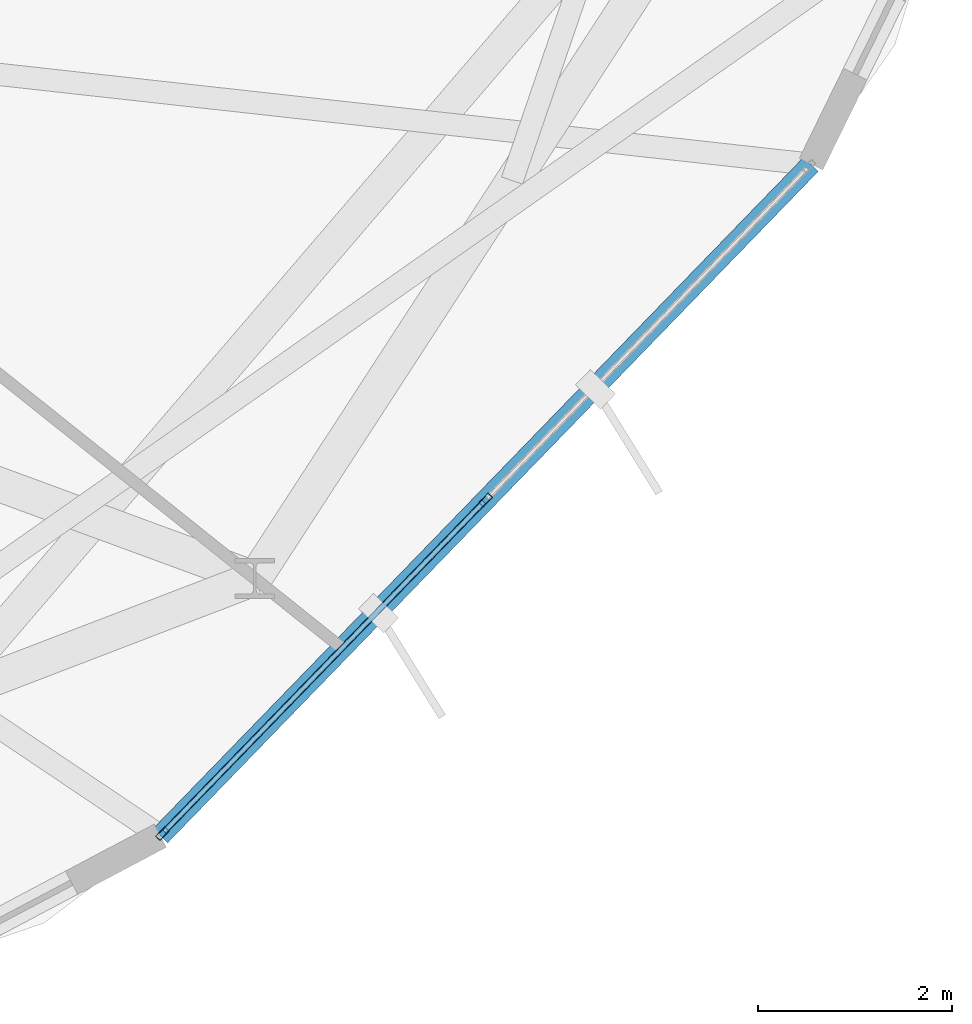
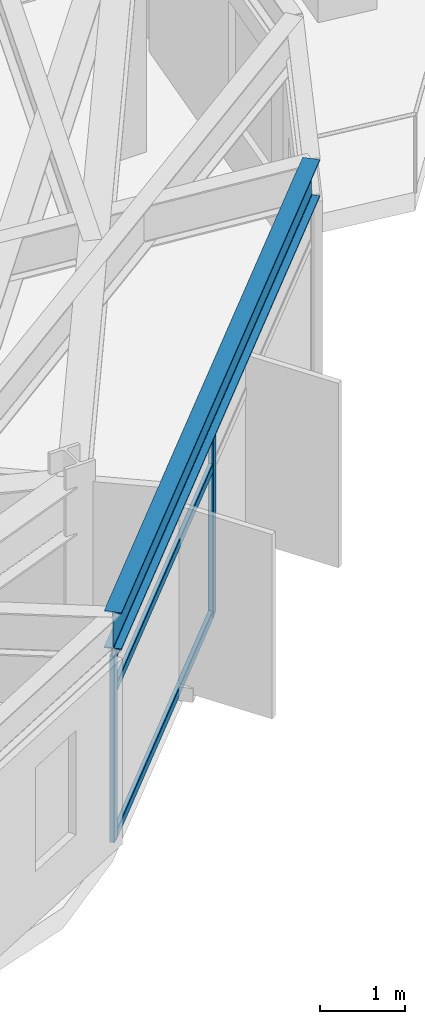
# One storey, part 11 of 28: 5 members, 1 beam, 1 element without a shape of its own.
"""IFC4 building model written with IfcOpenShell, lengths in metres."""

from ifc_helpers import new_model, si_unit, direction, frame, origin, origin_2d, place, context, subcontext, project, spatial, hollow_rectangle, i_section, extrude, material, layer, layer_set, material_profile, profile_set, type_object, element, aggregate, save


model = new_model("IFC4")

# Units and contexts
model_context = context("Model", 3, precision=1e-05, world=origin(), true_north=direction((0.0, 1.0)))
body_context = subcontext(model_context, "Body", "Model", "MODEL_VIEW")
ifc_project = project(units=[si_unit("LENGTHUNIT", "METRE"), si_unit("AREAUNIT", "SQUARE_METRE"), si_unit("VOLUMEUNIT", "CUBIC_METRE"), si_unit("PLANEANGLEUNIT", "RADIAN"), si_unit("MASSUNIT", "GRAM", prefix="KILO")], contexts=[model_context])

# Site, building, storey
site_placement = place(None, origin())
site = spatial("IfcSite", under=ifc_project, at=site_placement, CompositionType="ELEMENT")
building_placement = place(site_placement, origin())
building = spatial("IfcBuilding", under=site, at=building_placement, Name="Soratama Intermodal Tower", CompositionType="ELEMENT")
storey_placement = place(building_placement, frame((0.0, 0.0, 201.39990234375)))
storey = spatial("IfcBuildingStorey", under=building, at=storey_placement, Name="L50", CompositionType="ELEMENT", Elevation=201.39990234375)

# Beam
ifc_material_1 = material(Name="Structural steel ASTM A992 Grade 50", Category="steel")
ifc_material_profile_1 = material_profile(ifc_material_1, i_section(OverallWidth=0.2099609375, OverallDepth=0.537109375, WebThickness=0.010986328125, FlangeThickness=0.017333984375, FilletRadius=0.012939453125, at=origin_2d()), Name="W21X68")
ifc_profile_set_1 = profile_set([ifc_material_profile_1], Name="Structural steel ASTM A992 Grade 50")
beam_type = type_object("IfcBeamType", Name="BM-SPN-W21X68", PredefinedType="SPANDREL", material=ifc_profile_set_1)
beam_placement = place(storey_placement, frame((55.73388671875, 7.89697265625, 3.031494140625), z_axis=(0.695844287037, 0.718192681805, 0.0), x_axis=(-0.718192681805, 0.695844287037, 0.0)))
element("IfcBeam", 1, at=beam_placement, inside=storey, type_object=beam_type, Name="BS-L50-F08", PredefinedType="SPANDREL", context=body_context, shape_type="SweptSolid", body=[
    extrude(i_section(OverallWidth=0.2099609375, OverallDepth=0.537109375, WebThickness=0.010986328125, FlangeThickness=0.017333984375, FilletRadius=0.012939453125, at=origin_2d()), origin(), (0.0, 0.0, 1.0), 9.624267578125),
])

# Curtain wall, members
ifc_material_2 = material(Name="Double-glazed aluminium curtain wall", Category="aluminium")
ifc_layer = layer(ifc_material_2, 0.159912109375)
ifc_layer_set = layer_set([ifc_layer], Name="Double-glazed aluminium curtain wall")
curtain_wall_type = type_object("IfcCurtainWallType", Name="CW-SYS-5", PredefinedType="NOTDEFINED", material=ifc_layer_set)
curtain_wall_placement = place(storey_placement, origin())
curtain_wall = element("IfcCurtainWall", 2, at=curtain_wall_placement, inside=storey, type_object=curtain_wall_type, Name="L50 Faceted Curtain Wall F08", PredefinedType="NOTDEFINED")
ifc_material_3 = material(Name="Anodised aluminium AA 6063-T6", Category="aluminium")
ifc_material_profile_2 = material_profile(ifc_material_3, hollow_rectangle(XDim=0.06494140625, YDim=0.139892578125, WallThickness=0.0048828125, InnerFilletRadius=0.0048828125, OuterFilletRadius=0.010009765625, at=origin_2d()), Name="CWM140X65X5")
ifc_profile_set_2 = profile_set([ifc_material_profile_2], Name="Anodised aluminium AA 6063-T6")
member_type_1 = type_object("IfcMemberType", Name="MT-CWM-5", PredefinedType="MULLION", material=ifc_profile_set_2)
member_1_placement = place(storey_placement, frame((55.75439453125, 7.9189453125, 0.0), z_axis=(0.0, 0.0, 1.0), x_axis=(-0.718126949297, 0.695912124261, 0.0)))
member_1 = element("IfcMember", 3, at=member_1_placement, type_object=member_type_1, Name="CW-5 mullion 1", PredefinedType="MULLION", context=body_context, shape_type="SweptSolid", body=[
    extrude(hollow_rectangle(XDim=0.06494140625, YDim=0.139892578125, WallThickness=0.0048828125, InnerFilletRadius=0.0048828125, OuterFilletRadius=0.010009765625, at=origin_2d()), origin(), (0.0, 0.0, 1.0), 2.67919921875),
])
member_2_placement = place(storey_placement, frame((59.08251953125, 11.353271484375, 0.0), z_axis=(0.0, 0.0, 1.0), x_axis=(-0.718126949297, 0.695912124261, 0.0)))
member_2 = element("IfcMember", 4, at=member_2_placement, type_object=member_type_1, Name="CW-5 mullion 2", PredefinedType="MULLION", context=body_context, shape_type="SweptSolid", body=[
    extrude(hollow_rectangle(XDim=0.06494140625, YDim=0.139892578125, WallThickness=0.0048828125, InnerFilletRadius=0.0048828125, OuterFilletRadius=0.010009765625, at=origin_2d()), origin(), (0.0, 0.0, 1.0), 2.67919921875),
])
ifc_material_4 = material(Name="Anodised aluminium AA 6063-T6", Category="aluminium")
ifc_material_profile_3 = material_profile(ifc_material_4, hollow_rectangle(XDim=0.06005859375, YDim=0.1298828125, WallThickness=0.0048828125, InnerFilletRadius=0.0048828125, OuterFilletRadius=0.010009765625, at=origin_2d()), Name="CWT130X60X5")
ifc_profile_set_3 = profile_set([ifc_material_profile_3], Name="Anodised aluminium AA 6063-T6")
member_type_2 = type_object("IfcMemberType", Name="TT-CWT-2", PredefinedType="USERDEFINED", material=ifc_profile_set_3)
member_3_placement = place(storey_placement, frame((55.775390625, 7.940673828125, 0.030029296875), z_axis=(0.695929398414, 0.718110209107, 0.0), x_axis=(-0.718110209107, 0.695929398414, 0.0)))
member_3 = element("IfcMember", 5, at=member_3_placement, type_object=member_type_2, Name="CW-5 transom 1.1", ObjectType="TRANSOM", PredefinedType="USERDEFINED", context=body_context, shape_type="SweptSolid", body=[
    extrude(hollow_rectangle(XDim=0.06005859375, YDim=0.1298828125, WallThickness=0.0048828125, InnerFilletRadius=0.0048828125, OuterFilletRadius=0.010009765625, at=origin_2d()), origin(), (0.0, 0.0, 1.0), 4.721923828125),
])
member_4_placement = place(storey_placement, frame((55.775390625, 7.940673828125, 2.150146484375), z_axis=(0.695929398414, 0.718110209107, 0.0), x_axis=(-0.718110209107, 0.695929398414, 0.0)))
member_4 = element("IfcMember", 6, at=member_4_placement, type_object=member_type_2, Name="CW-5 transom 1.2", ObjectType="TRANSOM", PredefinedType="USERDEFINED", context=body_context, shape_type="SweptSolid", body=[
    extrude(hollow_rectangle(XDim=0.06005859375, YDim=0.1298828125, WallThickness=0.0048828125, InnerFilletRadius=0.0048828125, OuterFilletRadius=0.010009765625, at=origin_2d()), origin(), (0.0, 0.0, 1.0), 4.721923828125),
])
member_5_placement = place(storey_placement, frame((55.775390625, 7.940673828125, 2.649169921875), z_axis=(0.695929398414, 0.718110209107, 0.0), x_axis=(-0.718110209107, 0.695929398414, 0.0)))
member_5 = element("IfcMember", 7, at=member_5_placement, type_object=member_type_2, Name="CW-5 transom 1.3", ObjectType="TRANSOM", PredefinedType="USERDEFINED", context=body_context, shape_type="SweptSolid", body=[
    extrude(hollow_rectangle(XDim=0.06005859375, YDim=0.1298828125, WallThickness=0.0048828125, InnerFilletRadius=0.0048828125, OuterFilletRadius=0.010009765625, at=origin_2d()), origin(), (0.0, 0.0, 1.0), 4.721923828125),
])
aggregate(curtain_wall, [member_1, member_2, member_3, member_4, member_5])

save(model, "model.ifc")
